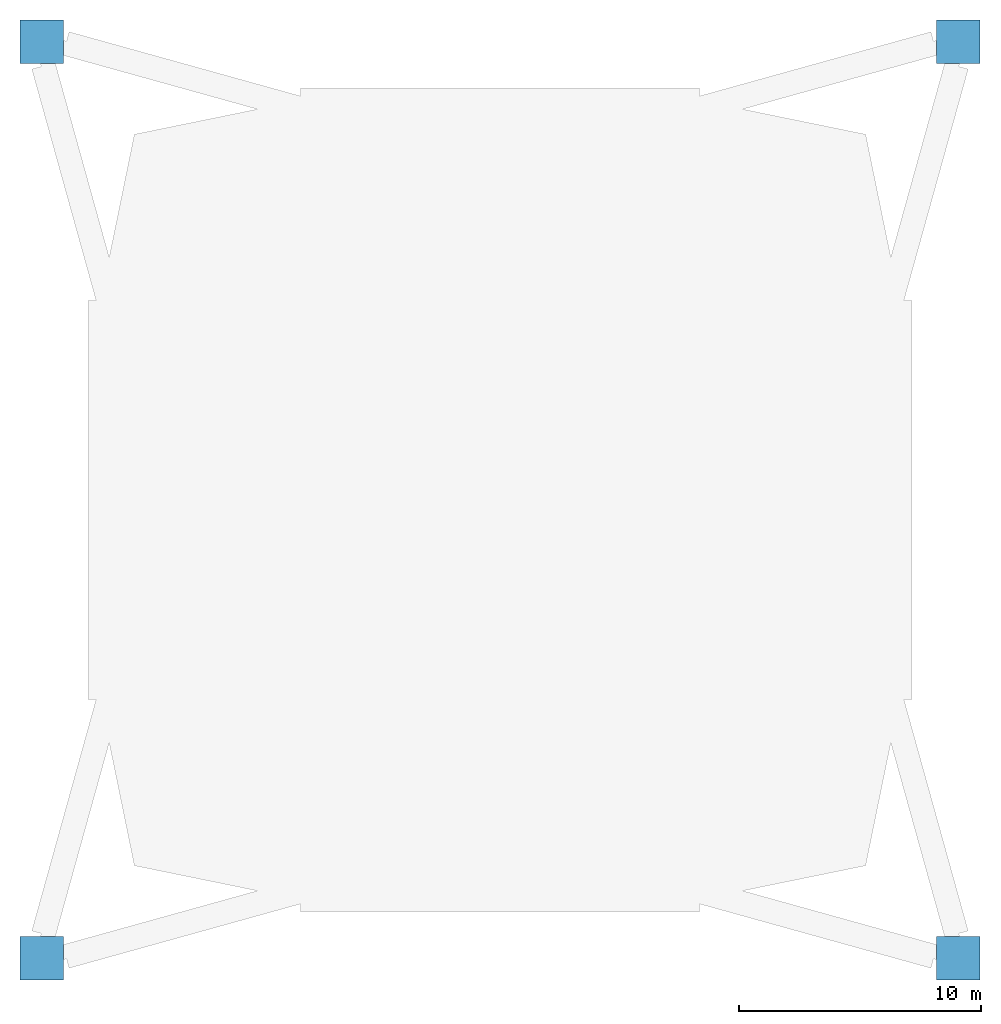
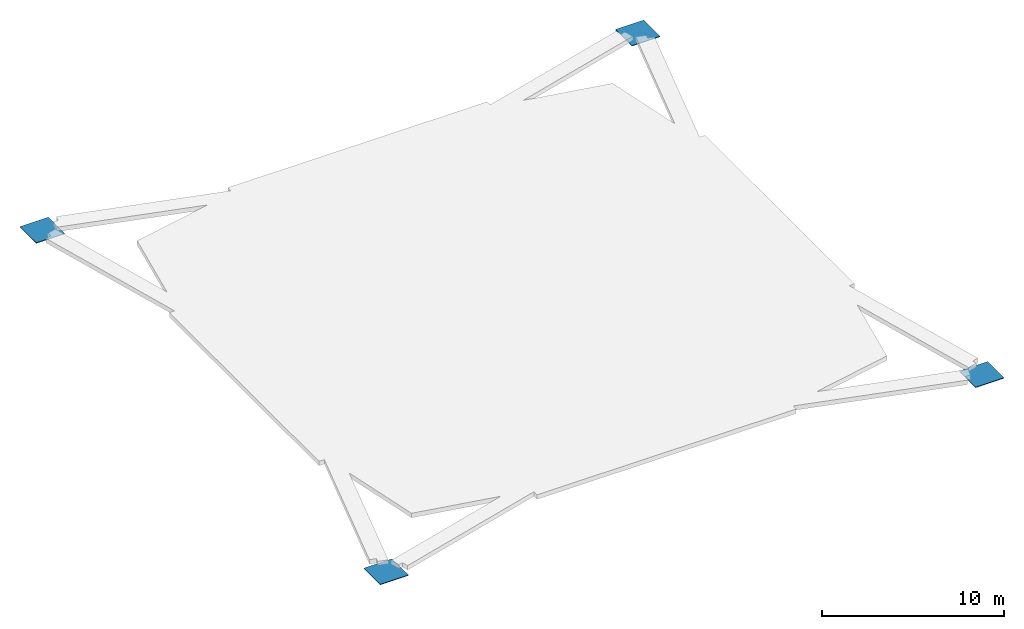
# One storey, part 1 of 2: 4 discrete accessories.
"""IFC4 building model written with IfcOpenShell, lengths in metres."""

from ifc_helpers import new_model, si_unit, direction, frame, origin, origin_2d, place, context, subcontext, project, spatial, rectangle, extrude, material, type_object, element, save


model = new_model("IFC4")

# Units and contexts
model_context = context("Model", 3, precision=1e-05, world=origin(), true_north=direction((0.0, 1.0)))
body_context = subcontext(model_context, "Body", "Model", "MODEL_VIEW")
ifc_project = project(units=[si_unit("LENGTHUNIT", "METRE"), si_unit("AREAUNIT", "SQUARE_METRE"), si_unit("VOLUMEUNIT", "CUBIC_METRE"), si_unit("PLANEANGLEUNIT", "RADIAN"), si_unit("MASSUNIT", "GRAM", prefix="KILO")], contexts=[model_context])

# Site, building, storey
site_placement = place(None, origin())
site = spatial("IfcSite", under=ifc_project, at=site_placement, CompositionType="ELEMENT")
building_placement = place(site_placement, origin())
building = spatial("IfcBuilding", under=site, at=building_placement, Name="Iwan Alto Co-Living Towers", CompositionType="ELEMENT")
storey_placement = place(building_placement, frame((0.0, 0.0, 288.5)))
storey = spatial("IfcBuildingStorey", under=building, at=storey_placement, Name="PARAPET", CompositionType="ELEMENT", Elevation=288.5)

# Discrete accessories
ifc_material = material(Name="Steel ASTM A36", Category="steel")
discrete_accessory_type = type_object("IfcDiscreteAccessoryType", Name="END PLATE 1800X1800X40", PredefinedType="USERDEFINED", material=ifc_material)
for number, where, z_axis, x_axis, name in (
    (1, (-18.89990234375, -18.89990234375, 0.0), (0.0, 0.0, 1.0), (1.0, 0.0, 0.0), "T1 crown frame mega post SW end plate"),
    (2, (18.89990234375, -18.89990234375, 0.0), (0.0, 0.0, 1.0), (1.0, 0.0, 0.0), "T1 crown frame mega post SE end plate"),
    (3, (18.89990234375, 18.89990234375, 0.0), (0.0, 0.0, 1.0), (1.0, 0.0, 0.0), "T1 crown frame mega post NE end plate"),
    (4, (-18.89990234375, 18.89990234375, 0.0), (0.0, 0.0, 1.0), (1.0, 0.0, 0.0), "T1 crown frame mega post NW end plate"),
):
    element("IfcDiscreteAccessory", number, at=place(storey_placement, frame(where, z_axis=z_axis, x_axis=x_axis)), inside=storey, type_object=discrete_accessory_type, Name=name, ObjectType="END PLATE", PredefinedType="USERDEFINED", context=body_context, shape_type="SweptSolid", body=[
        extrude(rectangle(XDim=1.800048828125, YDim=1.800048828125, at=origin_2d()), origin(), (0.0, 0.0, 1.0), 0.0400390625),
    ])

save(model, "model.ifc")
